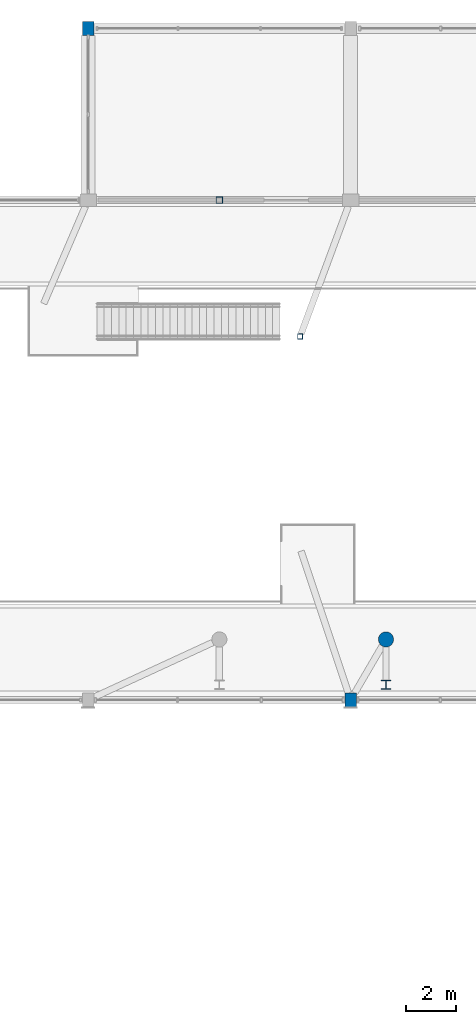
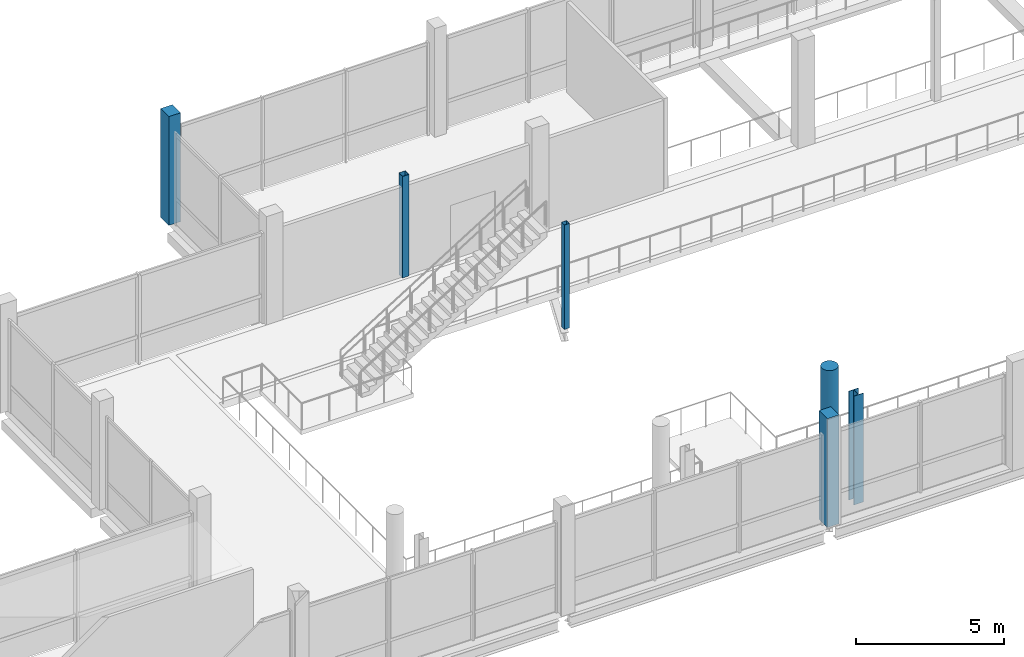
# One storey, part 8 of 95: 6 columns.
"""IFC4 building model written with IfcOpenShell, lengths in metres."""

from ifc_helpers import new_model, si_unit, derived_unit, direction, frame, origin, origin_2d, place, context, subcontext, project, spatial, rectangle, hollow_rectangle, circle, i_section, extrude, material, material_profile, profile_set, type_object, element, save


model = new_model("IFC4")

# Units and contexts
model_context = context("Model", 3, precision=1e-05, world=origin(), true_north=direction((0.0, 1.0)))
body_context = subcontext(model_context, "Body", "Model", "MODEL_VIEW")
ifc_project = project(units=[si_unit("LENGTHUNIT", "METRE"), si_unit("AREAUNIT", "SQUARE_METRE"), si_unit("VOLUMEUNIT", "CUBIC_METRE"), si_unit("PLANEANGLEUNIT", "RADIAN"), si_unit("MASSUNIT", "GRAM", prefix="KILO"), derived_unit("THERMALTRANSMITTANCEUNIT", [(si_unit("POWERUNIT", "WATT"), 1), (si_unit("LENGTHUNIT", "METRE"), -2), (si_unit("THERMODYNAMICTEMPERATUREUNIT", "KELVIN"), -1)])], contexts=[model_context])

# Site, building, storey
site_placement = place(None, origin())
site = spatial("IfcSite", under=ifc_project, at=site_placement, CompositionType="ELEMENT")
building_placement = place(site_placement, origin())
building = spatial("IfcBuilding", under=site, at=building_placement, Name="Braskholm Square Health Centre", CompositionType="ELEMENT")
storey_placement = place(building_placement, frame((0.0, 0.0, 4.800048828125)))
storey = spatial("IfcBuildingStorey", under=building, at=storey_placement, Name="L02", CompositionType="ELEMENT", Elevation=4.800048828125)

# Columns
ifc_material_1 = material(Name="Precast concrete C40/50 architectural white", Category="concrete")
ifc_material_profile_1 = material_profile(ifc_material_1, rectangle(XDim=0.4599609375, YDim=0.56005859375, at=origin_2d()), Name="RC-460X560")
ifc_profile_set_1 = profile_set([ifc_material_profile_1], Name="Precast concrete C40/50 architectural white")
column_type_1 = type_object("IfcColumnType", Name="ColPrecastFrame460x560", PredefinedType="COLUMN", material=ifc_profile_set_1)
for number, where, z_axis, x_axis, name in (
    (1, (58.0, 113.800048828125, 0.0), (0.0, 0.0, 1.0), (1.0, 0.0, 0.0), "Column 9/S L02"),
    (2, (68.39990234375, 87.199951171875, 0.0), (0.0, 0.0, 1.0), (1.0, 0.0, 0.0), "Column 10/N L02"),
):
    element("IfcColumn", number, at=place(storey_placement, frame(where, z_axis=z_axis, x_axis=x_axis)), inside=storey, type_object=column_type_1, Name=name, PredefinedType="COLUMN", context=body_context, shape_type="SweptSolid", body=[
        extrude(rectangle(XDim=0.4599609375, YDim=0.56005859375, at=origin_2d()), origin(), (0.0, 0.0, 1.0), 4.5),
    ])
ifc_material_2 = material(Name="Concrete C40/50 (f'c = 40 MPa)", Category="concrete")
ifc_material_profile_2 = material_profile(ifc_material_2, circle(Radius=0.300048828125, at=origin_2d()), Name="RC-RND-600")
ifc_profile_set_2 = profile_set([ifc_material_profile_2], Name="Concrete C40/50 (f'c = 40 MPa)")
column_type_2 = type_object("IfcColumnType", Name="ColRoundConcourse600", PredefinedType="COLUMN", material=ifc_profile_set_2)
column_1_placement = place(storey_placement, frame((69.800048828125, 89.60009765625, 0.0), z_axis=(0.0, 0.0, 1.0), x_axis=(1.0, 0.0, 0.0)))
element("IfcColumn", 3, at=column_1_placement, inside=storey, type_object=column_type_2, Name="Column RC03 L02", PredefinedType="COLUMN", context=body_context, shape_type="SweptSolid", body=[
    extrude(circle(Radius=0.300048828125, at=origin_2d()), origin(), (0.0, 0.0, 1.0), 4.5),
])
ifc_material_3 = material(Name="Steel ASTM A500 Grade C", Category="steel")
ifc_material_profile_3 = material_profile(ifc_material_3, hollow_rectangle(XDim=0.25390625, YDim=0.25390625, WallThickness=0.01171875, at=origin_2d()), Name="HSS10X10X1/2")
ifc_profile_set_3 = profile_set([ifc_material_profile_3], Name="Steel ASTM A500 Grade C")
column_type_3 = type_object("IfcColumnType", Name="ColSteelCanopyHSS10", PredefinedType="COLUMN", material=ifc_profile_set_3)
column_2_placement = place(storey_placement, frame((63.199951171875, 107.0, 0.0), z_axis=(0.0, 0.0, 1.0), x_axis=(1.0, 0.0, 0.0)))
element("IfcColumn", 4, at=column_2_placement, inside=storey, type_object=column_type_3, Name="Column CS2D L02", PredefinedType="COLUMN", context=body_context, shape_type="SweptSolid", body=[
    extrude(hollow_rectangle(XDim=0.25390625, YDim=0.25390625, WallThickness=0.01171875, at=origin_2d()), origin(), (0.0, 0.0, 1.0), 4.199951171875),
])
ifc_material_4 = material(Name="Steel ASTM A992 Grade 50", Category="steel")
ifc_material_profile_4 = material_profile(ifc_material_4, i_section(OverallWidth=0.368896484375, OverallDepth=0.35595703125, WebThickness=0.01123046875, FlangeThickness=0.01806640625, at=origin_2d()), Name="W14X90")
ifc_profile_set_4 = profile_set([ifc_material_profile_4], Name="Steel ASTM A992 Grade 50")
column_type_4 = type_object("IfcColumnType", Name="ColSteelHallW14X90", PredefinedType="COLUMN", material=ifc_profile_set_4)
column_3_placement = place(storey_placement, frame((69.800048828125, 87.800048828125, 0.0), z_axis=(0.0, 0.0, 1.0), x_axis=(1.0, 0.0, 0.0)))
element("IfcColumn", 5, at=column_3_placement, inside=storey, type_object=column_type_4, Name="Column CS1C L02", PredefinedType="COLUMN", context=body_context, shape_type="SweptSolid", body=[
    extrude(i_section(OverallWidth=0.368896484375, OverallDepth=0.35595703125, WebThickness=0.01123046875, FlangeThickness=0.01806640625, at=origin_2d()), origin(), (0.0, 0.0, 1.0), 4.5),
])
ifc_material_profile_5 = material_profile(ifc_material_3, hollow_rectangle(XDim=0.203125, YDim=0.203125, WallThickness=0.0087890625, at=origin_2d()), Name="HSS8X8X3/8")
ifc_profile_set_5 = profile_set([ifc_material_profile_5], Name="Steel ASTM A500 Grade C")
column_type_5 = type_object("IfcColumnType", Name="ColSteelPorchHSS8", PredefinedType="COLUMN", material=ifc_profile_set_5)
column_4_placement = place(storey_placement, frame((66.39990234375, 101.60009765625, 0.0), z_axis=(0.0, 0.0, 1.0), x_axis=(1.0, 0.0, 0.0)))
element("IfcColumn", 6, at=column_4_placement, inside=storey, type_object=column_type_5, Name="Column CS3J L02", PredefinedType="COLUMN", context=body_context, shape_type="SweptSolid", body=[
    extrude(hollow_rectangle(XDim=0.203125, YDim=0.203125, WallThickness=0.0087890625, at=origin_2d()), origin(), (0.0, 0.0, 1.0), 4.320068359375),
])

save(model, "model.ifc")
